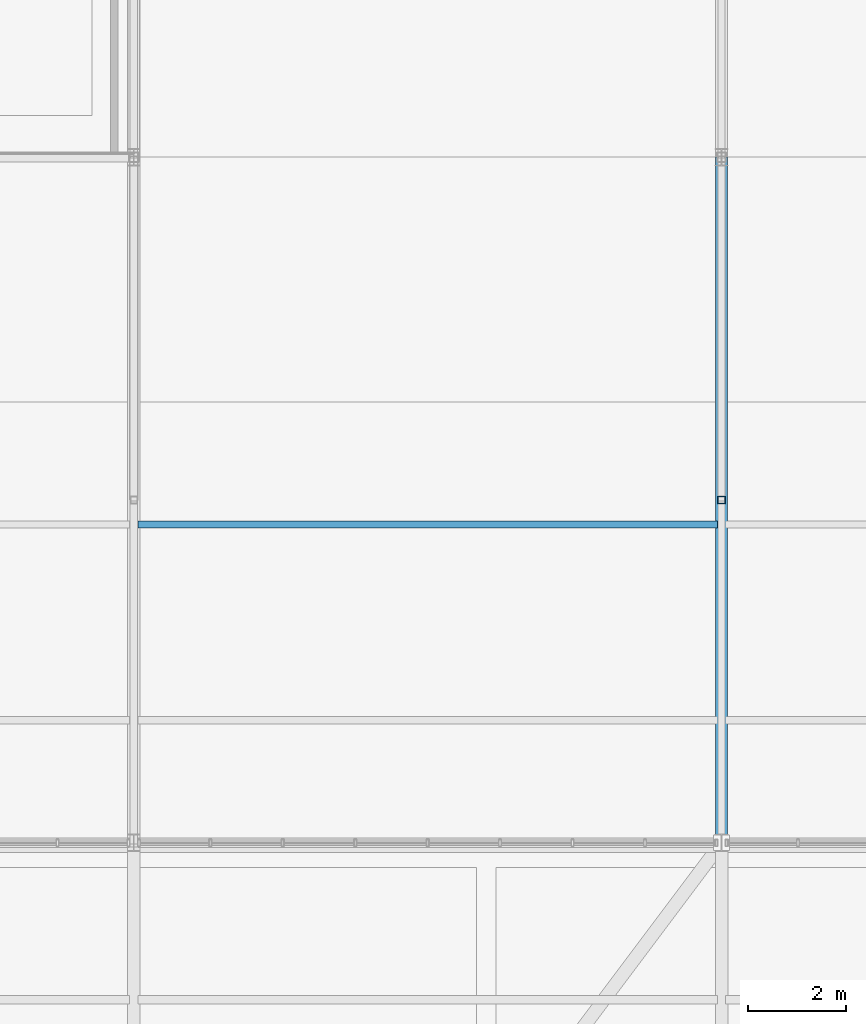
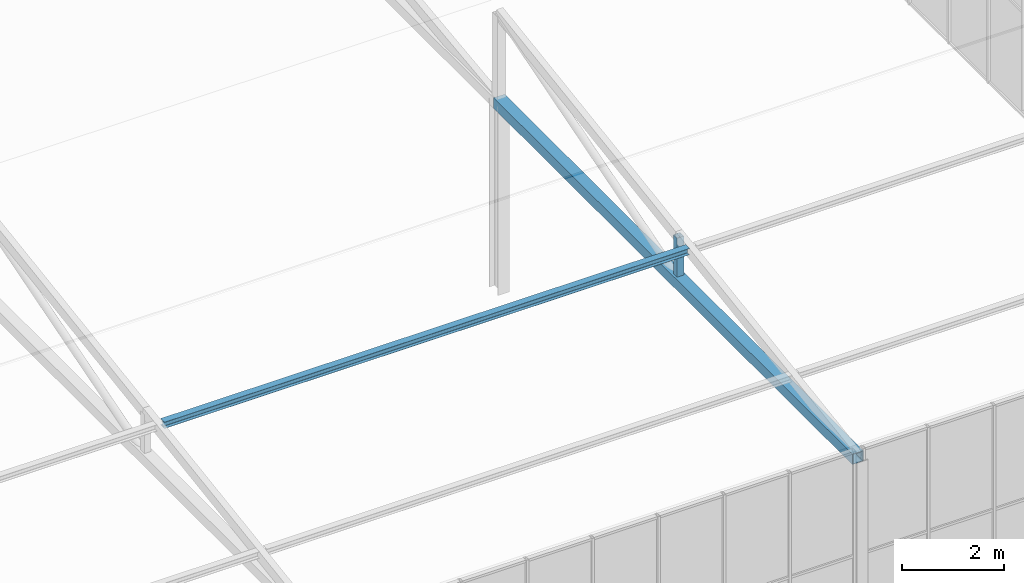
# One storey, part 58 of 104: 2 members, 1 beam.
"""IFC4 building model written with IfcOpenShell, lengths in metres."""

from ifc_helpers import new_model, si_unit, direction, frame, origin, origin_2d, place, context, subcontext, project, spatial, hollow_rectangle, i_section, extrude, material, material_profile, profile_set, type_object, element, save


model = new_model("IFC4")

# Units and contexts
model_context = context("Model", 3, precision=1e-05, world=origin(), true_north=direction((0.0, 1.0)))
body_context = subcontext(model_context, "Body", "Model", "MODEL_VIEW")
ifc_project = project(units=[si_unit("LENGTHUNIT", "METRE"), si_unit("AREAUNIT", "SQUARE_METRE"), si_unit("VOLUMEUNIT", "CUBIC_METRE"), si_unit("PLANEANGLEUNIT", "RADIAN"), si_unit("MASSUNIT", "GRAM", prefix="KILO")], contexts=[model_context])

# Site, building, storey
site_placement = place(None, origin())
site = spatial("IfcSite", under=ifc_project, at=site_placement, CompositionType="ELEMENT")
building_placement = place(site_placement, origin())
building = spatial("IfcBuilding", under=site, at=building_placement, Name="Solvenia Promenade Tram Depot", CompositionType="ELEMENT")
storey_placement = place(building_placement, frame((0.0, 0.0, 9.0)))
storey = spatial("IfcBuildingStorey", under=building, at=storey_placement, Name="L02", CompositionType="ELEMENT", Elevation=9.0)

# Members
ifc_material_1 = material(Name="Structural steel ASTM A500 Gr. C", Category="steel")
ifc_material_profile_1 = material_profile(ifc_material_1, hollow_rectangle(XDim=0.25, YDim=0.25, WallThickness=0.010009765625, at=origin_2d()), Name="HSS250x250x10", Category="steel")
ifc_profile_set_1 = profile_set([ifc_material_profile_1], Name="Structural steel ASTM A500 Gr. C")
member_type_1 = type_object("IfcMemberType", Name="Chord-HSS250x250x10", PredefinedType="CHORD", material=ifc_profile_set_1)
member_1_placement = place(storey_placement, frame((174.0, 24.0, 4.47998046875), z_axis=(0.0, 1.0, 0.0), x_axis=(-1.0, 0.0, 0.0)))
element("IfcMember", 1, at=member_1_placement, inside=storey, type_object=member_type_1, Name="Crane Hall Truss Bottom Tie 09", PredefinedType="CHORD", context=body_context, shape_type="SweptSolid", body=[
    extrude(hollow_rectangle(XDim=0.25, YDim=0.25, WallThickness=0.010009765625, at=origin_2d()), origin(), (0.0, 0.0, 1.0), 14.0),
])
ifc_material_profile_2 = material_profile(ifc_material_1, hollow_rectangle(XDim=0.14990234375, YDim=0.14990234375, WallThickness=0.008056640625, at=origin_2d()), Name="HSS150x150x8", Category="steel")
ifc_profile_set_2 = profile_set([ifc_material_profile_2], Name="Structural steel ASTM A500 Gr. C")
member_type_2 = type_object("IfcMemberType", Name="Post-HSS150x150x8", PredefinedType="POST", material=ifc_profile_set_2)
member_2_placement = place(storey_placement, frame((174.0, 31.0, 4.47998046875), z_axis=(0.0, 0.0, 1.0), x_axis=(1.0, 0.0, 0.0)))
element("IfcMember", 2, at=member_2_placement, inside=storey, type_object=member_type_2, Name="Crane Hall Mid Web Post 09", PredefinedType="POST", context=body_context, shape_type="SweptSolid", body=[
    extrude(hollow_rectangle(XDim=0.14990234375, YDim=0.14990234375, WallThickness=0.008056640625, at=origin_2d()), origin(), (0.0, 0.0, 1.0), 1.050048828125),
])

# Beam
ifc_material_2 = material(Name="Structural steel ASTM A992 Gr. 50", Category="steel")
ifc_material_profile_3 = material_profile(ifc_material_2, i_section(OverallWidth=0.152099609375, OverallDepth=0.152099609375, WebThickness=0.005859375, FlangeThickness=0.006591796875, FilletRadius=0.008056640625, at=origin_2d()), Name="W150x22", Category="steel")
ifc_profile_set_3 = profile_set([ifc_material_profile_3], Name="Structural steel ASTM A992 Gr. 50")
beam_type = type_object("IfcBeamType", Name="Purlin-W150x22", PredefinedType="USERDEFINED", material=ifc_profile_set_3)
beam_placement = place(storey_placement, frame((162.0849609375, 30.5, 5.52001953125), z_axis=(1.0, 0.0, 0.0), x_axis=(0.0, 1.0, 0.0)))
element("IfcBeam", 3, at=beam_placement, inside=storey, type_object=beam_type, Name="Clerestory Purlin 0216", ObjectType="PURLIN", PredefinedType="USERDEFINED", context=body_context, shape_type="SweptSolid", body=[
    extrude(i_section(OverallWidth=0.152099609375, OverallDepth=0.152099609375, WebThickness=0.005859375, FlangeThickness=0.006591796875, FilletRadius=0.008056640625, at=origin_2d()), origin(), (0.0, 0.0, 1.0), 11.830078125),
])

save(model, "model.ifc")
